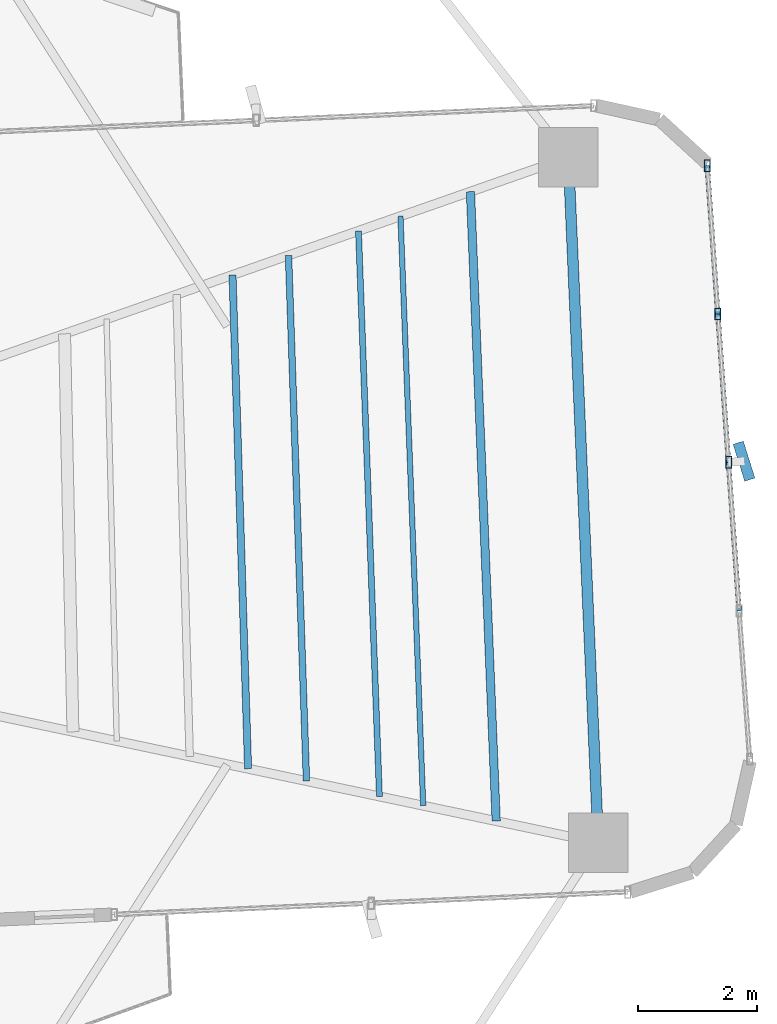
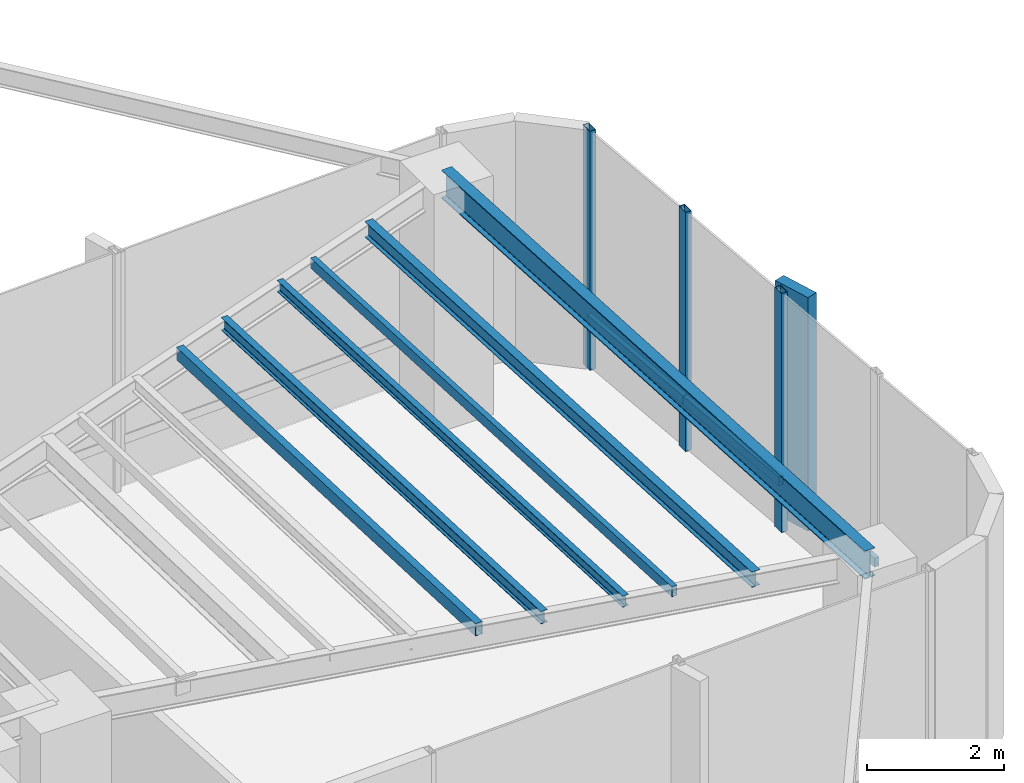
# One storey, part 9 of 21: 7 members, 6 beams, 1 element without a shape of its own.
"""IFC4 building model written with IfcOpenShell, lengths in metres."""

from ifc_helpers import new_model, si_unit, direction, frame, origin, origin_2d, place, context, subcontext, project, spatial, rectangle, hollow_rectangle, i_section, extrude, source, transform, mapped, material, material_profile, profile_set, type_object, element, aggregate, save


model = new_model("IFC4")

# Units and contexts
model_context = context("Model", 3, precision=1e-05, world=origin(), true_north=direction((0.0, 1.0)))
body_context = subcontext(model_context, "Body", "Model", "MODEL_VIEW")
ifc_project = project(units=[si_unit("LENGTHUNIT", "METRE"), si_unit("AREAUNIT", "SQUARE_METRE"), si_unit("VOLUMEUNIT", "CUBIC_METRE"), si_unit("PLANEANGLEUNIT", "RADIAN"), si_unit("MASSUNIT", "GRAM", prefix="KILO")], contexts=[model_context])

# Site, building, storey
site_placement = place(None, origin())
site = spatial("IfcSite", under=ifc_project, at=site_placement, CompositionType="ELEMENT")
building_placement = place(site_placement, origin())
building = spatial("IfcBuilding", under=site, at=building_placement, Name="Sahyath Konkavel Grand Hotel", CompositionType="ELEMENT")
storey_placement = place(building_placement, frame((0.0, 0.0, 79.0)))
storey = spatial("IfcBuildingStorey", under=building, at=storey_placement, Name="L21", CompositionType="ELEMENT", Elevation=79.0)

# Beams
ifc_material_1 = material(Name="Steel E350", Category="steel")
ifc_material_profile_1 = material_profile(ifc_material_1, i_section(OverallWidth=0.179931640625, OverallDepth=0.5, WebThickness=0.01025390625, FlangeThickness=0.01708984375, FilletRadius=0.01708984375, at=origin_2d()), Name="ISMB 500")
ifc_profile_set_1 = profile_set([ifc_material_profile_1], Name="Steel E350")
beam_type_1 = type_object("IfcBeamType", Name="BM-ISMB500", PredefinedType="BEAM", material=ifc_profile_set_1)
shared_shape_1 = source(origin(), body_context, "Body", "SweptSolid", [
    extrude(i_section(OverallWidth=0.179931640625, OverallDepth=0.5, WebThickness=0.01025390625, FlangeThickness=0.01708984375, FilletRadius=0.01708984375, at=origin_2d()), origin(), (0.0, 0.0, 1.0), 11.5),
])
beam_1_placement = place(storey_placement, frame((17.734130859375, -4.981201171875, 4.010009765625), z_axis=(-0.043627008892, 0.99904788879, 0.0), x_axis=(-0.99904788879, -0.043627008892, 0.0)))
element("IfcBeam", 1, at=beam_1_placement, inside=storey, type_object=beam_type_1, Name="L21 Wing Tip Edge Beam E", PredefinedType="BEAM", context=body_context, shape_type="MappedRepresentation", body=[
    mapped(shared_shape_1, transform((0.0, 0.0, 0.0), scale=1.0)),
])
ifc_material_profile_2 = material_profile(ifc_material_1, hollow_rectangle(XDim=0.1201171875, YDim=0.219970703125, WallThickness=0.010009765625, at=origin_2d()), Name="RHS 220x120x10")
ifc_profile_set_2 = profile_set([ifc_material_profile_2], Name="Steel E350")
beam_type_2 = type_object("IfcBeamType", Name="BM-RHS220", PredefinedType="BEAM", material=ifc_profile_set_2)
shared_shape_2 = source(origin(), body_context, "Body", "SweptSolid", [
    extrude(hollow_rectangle(XDim=0.1201171875, YDim=0.219970703125, WallThickness=0.010009765625, at=origin_2d()), origin(), (0.0, 0.0, 1.0), 8.282470703125),
])
beam_2_placement = place(storey_placement, frame((11.86181640625, -3.7421875, 4.14990234375), z_axis=(-0.031510827707, 0.999503410568, 0.0), x_axis=(-0.999503410568, -0.031510827707, 0.0)))
element("IfcBeam", 2, at=beam_2_placement, inside=storey, type_object=beam_type_2, Name="L21 Secondary Floor Beam E-2", PredefinedType="BEAM", context=body_context, shape_type="MappedRepresentation", body=[
    mapped(shared_shape_2, transform((0.0, 0.0, 0.0), scale=1.0)),
])
ifc_material_profile_3 = material_profile(ifc_material_1, hollow_rectangle(XDim=0.090087890625, YDim=0.179931640625, WallThickness=0.008056640625, at=origin_2d()), Name="RHS 180x90x8")
ifc_profile_set_3 = profile_set([ifc_material_profile_3], Name="Steel E350")
beam_type_3 = type_object("IfcBeamType", Name="BM-RHS180", PredefinedType="BEAM", material=ifc_profile_set_3)
shared_shape_3 = source(origin(), body_context, "Body", "SweptSolid", [
    extrude(hollow_rectangle(XDim=0.090087890625, YDim=0.179931640625, WallThickness=0.008056640625, at=origin_2d()), origin(), (0.0, 0.0, 1.0), 9.89111328125),
])
beam_3_placement = place(storey_placement, frame((14.798095703125, -4.36181640625, 4.169921875), z_axis=(-0.03855445741, 0.999256500511, 0.0), x_axis=(-0.999256500511, -0.03855445741, 0.0)))
element("IfcBeam", 3, at=beam_3_placement, inside=storey, type_object=beam_type_3, Name="L21 Secondary Floor Beam E-3", PredefinedType="BEAM", context=body_context, shape_type="MappedRepresentation", body=[
    mapped(shared_shape_3, transform((0.0, 0.0, 0.0), scale=1.0)),
])
ifc_material_profile_4 = material_profile(ifc_material_1, i_section(OverallWidth=0.110107421875, OverallDepth=0.22509765625, WebThickness=0.006591796875, FlangeThickness=0.01171875, FilletRadius=0.011962890625, at=origin_2d()), Name="ISMB 225")
ifc_profile_set_4 = profile_set([ifc_material_profile_4], Name="Steel E350")
beam_type_4 = type_object("IfcBeamType", Name="BM-ISMB225", PredefinedType="BEAM", material=ifc_profile_set_4)
shared_shape_4 = source(origin(), body_context, "Body", "SweptSolid", [
    extrude(i_section(OverallWidth=0.110107421875, OverallDepth=0.22509765625, WebThickness=0.006591796875, FlangeThickness=0.01171875, FilletRadius=0.011962890625, at=origin_2d()), origin(), (0.0, 0.0, 1.0), 8.818603515625),
])
beam_4_placement = place(storey_placement, frame((12.840576171875, -3.94873046875, 4.1474609375), z_axis=(-0.034135219852, 0.999417223569, 0.0), x_axis=(-0.999417223569, -0.034135219852, 0.0)))
element("IfcBeam", 4, at=beam_4_placement, inside=storey, type_object=beam_type_4, Name="L21 Composite Deck Sub-Beam E-4", PredefinedType="BEAM", context=body_context, shape_type="MappedRepresentation", body=[
    mapped(shared_shape_4, transform((0.0, 0.0, 0.0), scale=1.0)),
])
ifc_material_profile_5 = material_profile(ifc_material_1, i_section(OverallWidth=0.10009765625, OverallDepth=0.199951171875, WebThickness=0.005615234375, FlangeThickness=0.0107421875, FilletRadius=0.010986328125, at=origin_2d()), Name="ISMB 200")
ifc_profile_set_5 = profile_set([ifc_material_profile_5], Name="Steel E350")
beam_type_5 = type_object("IfcBeamType", Name="BM-ISMB200", PredefinedType="BEAM", material=ifc_profile_set_5)
shared_shape_5 = source(origin(), body_context, "Body", "SweptSolid", [
    extrude(i_section(OverallWidth=0.10009765625, OverallDepth=0.199951171875, WebThickness=0.005615234375, FlangeThickness=0.0107421875, FilletRadius=0.010986328125, at=origin_2d()), origin(), (0.0, 0.0, 1.0), 9.48876953125),
])
beam_5_placement = place(storey_placement, frame((14.06396484375, -4.206787109375, 4.159912109375), z_axis=(-0.03699928911, 0.99931529189, 0.0), x_axis=(-0.99931529189, -0.03699928911, 0.0)))
element("IfcBeam", 5, at=beam_5_placement, inside=storey, type_object=beam_type_5, Name="L21 Composite Deck Sub-Beam E-5", PredefinedType="BEAM", context=body_context, shape_type="MappedRepresentation", body=[
    mapped(shared_shape_5, transform((0.0, 0.0, 0.0), scale=1.0)),
])
ifc_material_profile_6 = material_profile(ifc_material_1, i_section(OverallWidth=0.139892578125, OverallDepth=0.27490234375, WebThickness=0.00634765625, FlangeThickness=0.0087890625, FilletRadius=0.012939453125, at=origin_2d()), Name="ISLB 275")
ifc_profile_set_6 = profile_set([ifc_material_profile_6], Name="Steel E350")
beam_type_6 = type_object("IfcBeamType", Name="BM-ISLB275", PredefinedType="BEAM", material=ifc_profile_set_6)
shared_shape_6 = source(origin(), body_context, "Body", "SweptSolid", [
    extrude(i_section(OverallWidth=0.139892578125, OverallDepth=0.27490234375, WebThickness=0.00634765625, FlangeThickness=0.0087890625, FilletRadius=0.012939453125, at=origin_2d()), origin(), (0.0, 0.0, 1.0), 10.5615234375),
])
beam_6_placement = place(storey_placement, frame((16.021484375, -4.619873046875, 4.12255859375), z_axis=(-0.040869027801, 0.999164512263, 0.0), x_axis=(-0.999164512263, -0.040869027801, 0.0)))
element("IfcBeam", 6, at=beam_6_placement, inside=storey, type_object=beam_type_6, Name="L21 Composite Deck Sub-Beam E-6", PredefinedType="BEAM", context=body_context, shape_type="MappedRepresentation", body=[
    mapped(shared_shape_6, transform((0.0, 0.0, 0.0), scale=1.0)),
])

# Curtain wall, members
ifc_material_2 = material(Name="Anodised Bronze Aluminium & Low-E Glazing", Category="aluminium")
curtain_wall_type = type_object("IfcCurtainWallType", Name="CW-SKYLOBBY", PredefinedType="NOTDEFINED", material=ifc_material_2)
curtain_wall_placement = place(storey_placement, origin())
curtain_wall = element("IfcCurtainWall", 7, at=curtain_wall_placement, inside=storey, type_object=curtain_wall_type, Name="L21 Unitised Curtain Wall F4", PredefinedType="NOTDEFINED")
ifc_material_3 = material(Name="Anodised Bronze Aluminium", Category="aluminium")
ifc_material_profile_7 = material_profile(ifc_material_3, hollow_rectangle(XDim=0.10009765625, YDim=0.199951171875, WallThickness=0.008056640625, at=origin_2d()), Name="RHS 200x100x8")
ifc_profile_set_7 = profile_set([ifc_material_profile_7], Name="Anodised Bronze Aluminium")
member_type_1 = type_object("IfcMemberType", Name="CW-MUL-200", PredefinedType="MULLION", material=ifc_profile_set_7)
shared_shape_7 = source(origin(), body_context, "Body", "SweptSolid", [
    extrude(hollow_rectangle(XDim=0.10009765625, YDim=0.199951171875, WallThickness=0.008056640625, at=origin_2d()), origin(), (0.0, 0.0, 1.0), 4.260009765625),
])
member_1_placement = place(storey_placement, frame((19.91748046875, 1.39501953125, 0.0), z_axis=(0.0, 0.0, 1.0), x_axis=(1.0, 0.0, 0.0)))
member_1 = element("IfcMember", 8, at=member_1_placement, type_object=member_type_1, Name="L21 Curtain Wall Mullion F4-2", PredefinedType="MULLION", context=body_context, shape_type="MappedRepresentation", body=[
    mapped(shared_shape_7, transform((0.0, 0.0, 0.0), scale=1.0)),
])
member_2_placement = place(storey_placement, frame((19.739013671875, 3.882080078125, 0.0), z_axis=(0.0, 0.0, 1.0), x_axis=(1.0, 0.0, 0.0)))
member_2 = element("IfcMember", 9, at=member_2_placement, type_object=member_type_1, Name="L21 Curtain Wall Mullion F4-3", PredefinedType="MULLION", context=body_context, shape_type="MappedRepresentation", body=[
    mapped(shared_shape_7, transform((0.0, 0.0, 0.0), scale=1.0)),
])
member_3_placement = place(storey_placement, frame((19.560546875, 6.369384765625, 0.0), z_axis=(0.0, 0.0, 1.0), x_axis=(1.0, 0.0, 0.0)))
member_3 = element("IfcMember", 10, at=member_3_placement, type_object=member_type_1, Name="L21 Curtain Wall Mullion F4-4", PredefinedType="MULLION", context=body_context, shape_type="MappedRepresentation", body=[
    mapped(shared_shape_7, transform((0.0, 0.0, 0.0), scale=1.0)),
])
ifc_material_4 = material(Name="Warm Buff Sandstone Cladding on Concrete C50/60", Category="masonry")
ifc_material_profile_8 = material_profile(ifc_material_4, rectangle(XDim=0.179931640625, YDim=0.64990234375, at=origin_2d()), Name="FIN 180x650")
ifc_profile_set_8 = profile_set([ifc_material_profile_8], Name="Warm Buff Sandstone Cladding on Concrete C50/60")
member_type_2 = type_object("IfcMemberType", Name="FIN-SANDSTONE-650", PredefinedType="MULLION", material=ifc_profile_set_8)
shared_shape_8 = source(origin(), body_context, "Body", "SweptSolid", [
    extrude(rectangle(XDim=0.179931640625, YDim=0.64990234375, at=origin_2d()), origin(), (0.0, 0.0, 1.0), 4.159912109375),
])
member_4_placement = place(storey_placement, frame((20.1767578125, 1.413818359375, 0.050048828125), z_axis=(0.0, 0.0, 1.0), x_axis=(0.954083620326, 0.299540390309, 0.0)))
member_4 = element("IfcMember", 11, at=member_4_placement, type_object=member_type_2, Name="L21 Sandstone Vertical Solar Fin FIN F4-2", PredefinedType="MULLION", context=body_context, shape_type="MappedRepresentation", body=[
    mapped(shared_shape_8, transform((0.0, 0.0, 0.0), scale=1.0)),
])
ifc_material_profile_9 = material_profile(ifc_material_3, hollow_rectangle(XDim=0.080078125, YDim=0.159912109375, WallThickness=0.006103515625, at=origin_2d()), Name="RHS 160x80x6")
ifc_profile_set_9 = profile_set([ifc_material_profile_9], Name="Anodised Bronze Aluminium")
member_type_3 = type_object("IfcMemberType", Name="CW-TRN-160", PredefinedType="USERDEFINED", material=ifc_profile_set_9)
shared_shape_9 = source(origin(), body_context, "Body", "SweptSolid", [
    extrude(hollow_rectangle(XDim=0.080078125, YDim=0.159912109375, WallThickness=0.006103515625, at=origin_2d()), origin(), (0.0, 0.0, 1.0), 2.493408203125),
])
member_5_placement = place(storey_placement, frame((20.095947265625, -1.092041015625, 0.85009765625), z_axis=(-0.071574084062, 0.997435286367, 0.0), x_axis=(-0.997435286367, -0.071574084062, 0.0)))
member_5 = element("IfcMember", 12, at=member_5_placement, type_object=member_type_3, Name="L21 Curtain Wall Transom F4-1-spandrel", ObjectType="TRANSOM", PredefinedType="USERDEFINED", context=body_context, shape_type="MappedRepresentation", body=[
    mapped(shared_shape_9, transform((0.0, 0.0, 0.0), scale=1.0)),
])
member_6_placement = place(storey_placement, frame((19.91748046875, 1.39501953125, 0.85009765625), z_axis=(-0.071574084062, 0.997435286367, 0.0), x_axis=(-0.997435286367, -0.071574084062, 0.0)))
member_6 = element("IfcMember", 13, at=member_6_placement, type_object=member_type_3, Name="L21 Curtain Wall Transom F4-2-spandrel", ObjectType="TRANSOM", PredefinedType="USERDEFINED", context=body_context, shape_type="MappedRepresentation", body=[
    mapped(shared_shape_9, transform((0.0, 0.0, 0.0), scale=1.0)),
])
shared_shape_10 = source(origin(), body_context, "Body", "SweptSolid", [
    extrude(hollow_rectangle(XDim=0.080078125, YDim=0.159912109375, WallThickness=0.006103515625, at=origin_2d()), origin(), (0.0, 0.0, 1.0), 2.49365234375),
])
member_7_placement = place(storey_placement, frame((19.739013671875, 3.882080078125, 0.85009765625), z_axis=(-0.071567094714, 0.997435787885, 0.0), x_axis=(-0.997435787885, -0.071567094714, 0.0)))
member_7 = element("IfcMember", 14, at=member_7_placement, type_object=member_type_3, Name="L21 Curtain Wall Transom F4-3-spandrel", ObjectType="TRANSOM", PredefinedType="USERDEFINED", context=body_context, shape_type="MappedRepresentation", body=[
    mapped(shared_shape_10, transform((0.0, 0.0, 0.0), scale=1.0)),
])
aggregate(curtain_wall, [member_1, member_4, member_2, member_3, member_5, member_6, member_7])

save(model, "model.ifc")
